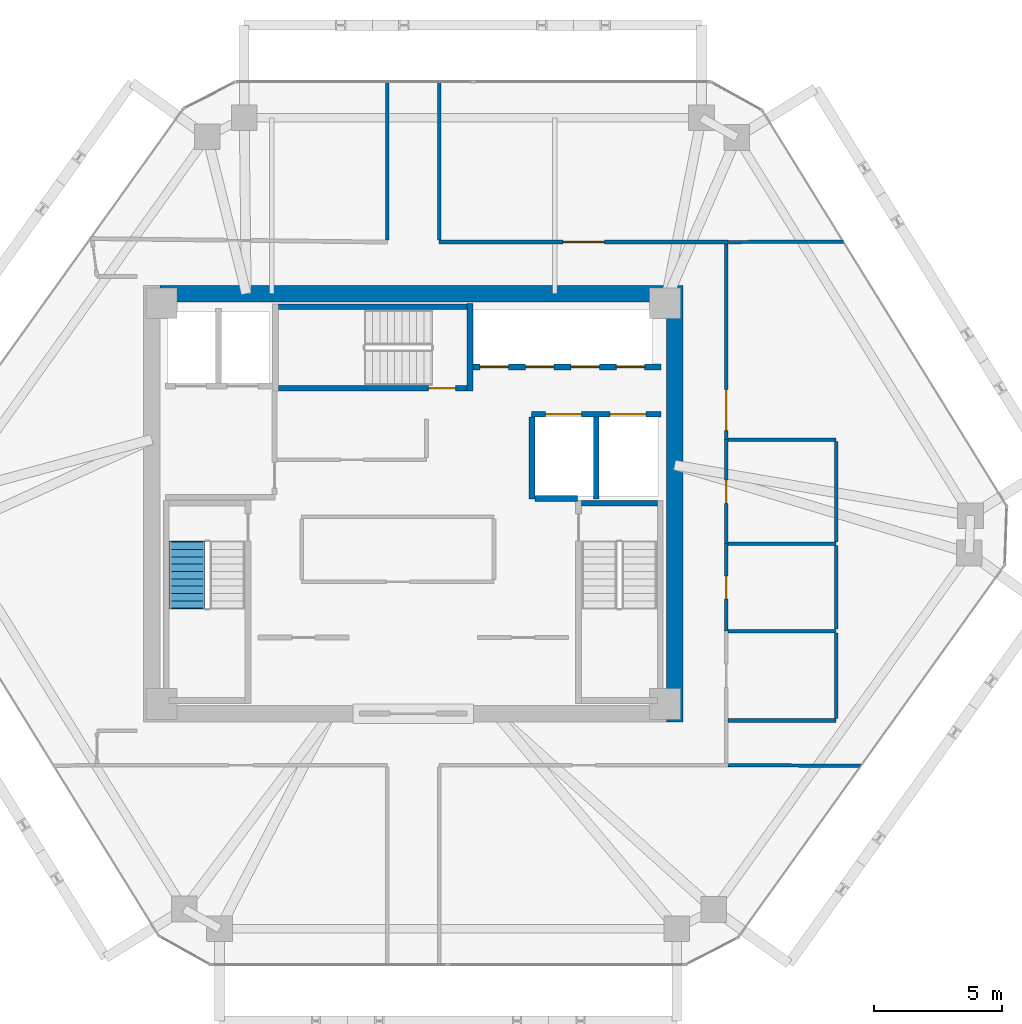
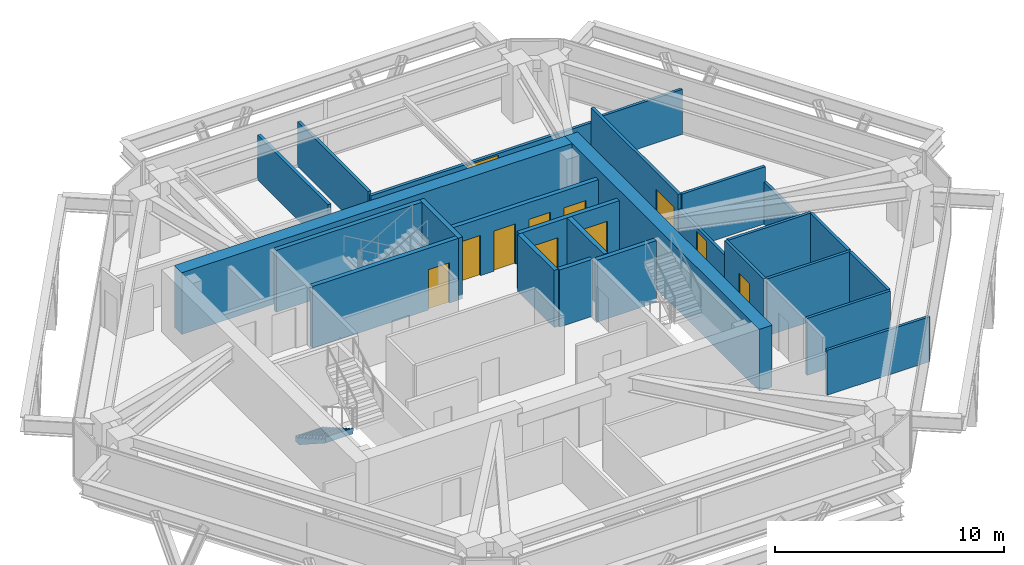
# One storey, part 9 of 11: 26 walls, 11 doors, 1 stair flight, 11 openings, 1 element without a shape of its own.
"""IFC4 building model written with IfcOpenShell, lengths in metres."""

from ifc_helpers import new_model, si_unit, direction, frame, frame_2d, origin, place, context, subcontext, project, spatial, polyline, rectangle, outline, extrude, source, transform, mapped, material, layer, layer_set, type_object, type_shapes, element, fill, aggregate, save


model = new_model("IFC4")

# Units and contexts
model_context = context("Model", 3, precision=1e-05, world=origin(), true_north=direction((0.0, 1.0)))
body_context = subcontext(model_context, "Body", "Model", "MODEL_VIEW")
ifc_project = project(units=[si_unit("LENGTHUNIT", "METRE"), si_unit("AREAUNIT", "SQUARE_METRE"), si_unit("VOLUMEUNIT", "CUBIC_METRE"), si_unit("PLANEANGLEUNIT", "RADIAN"), si_unit("MASSUNIT", "GRAM", prefix="KILO")], contexts=[model_context])

# Site, building, storey
site_placement = place(None, origin())
site = spatial("IfcSite", under=ifc_project, at=site_placement, CompositionType="ELEMENT")
building_placement = place(site_placement, origin())
building = spatial("IfcBuilding", under=site, at=building_placement, Name="Durnholm Broadcast Tower", CompositionType="ELEMENT")
storey_placement = place(building_placement, frame((0.0, 0.0, 170.5)))
storey = spatial("IfcBuildingStorey", under=building, at=storey_placement, Name="L46", CompositionType="ELEMENT", Elevation=170.5)

# Walls
ifc_material_1 = material(Name="Concrete C70/85", Category="concrete")
ifc_layer_1 = layer(ifc_material_1, 0.64990234375)
ifc_layer_set_1 = layer_set([ifc_layer_1], Name="Concrete C70/85")
wall_type_1 = type_object("IfcWallType", Name="WALL-CW-650", PredefinedType="SHEAR", material=ifc_layer_set_1)
wall_1_placement = place(storey_placement, frame((10.175048828125, -8.5, 0.0), z_axis=(0.0, 0.0, 1.0), x_axis=(0.0, 1.0, 0.0)))
element("IfcWall", 1, at=wall_1_placement, inside=storey, type_object=wall_type_1, Name="L46 central core shear wall CW-EAST", PredefinedType="SHEAR", context=body_context, shape_type="SweptSolid", body=[
    extrude(rectangle(XDim=17.0, YDim=0.64990234375, at=frame_2d((8.5, 0.0))), origin(), (0.0, 0.0, 1.0), 3.300048828125),
])
wall_2_placement = place(storey_placement, frame((-9.85009765625, 8.175048828125, 0.0), z_axis=(0.0, 0.0, 1.0), x_axis=(1.0, 0.0, 0.0)))
element("IfcWall", 2, at=wall_2_placement, inside=storey, type_object=wall_type_1, Name="L46 central core shear wall CW-N", PredefinedType="SHEAR", context=body_context, shape_type="SweptSolid", body=[
    extrude(rectangle(XDim=19.7001953125, YDim=0.64990234375, at=frame_2d((9.85009765625, 0.0))), origin(), (0.0, 0.0, 1.0), 3.300048828125),
])
ifc_material_2 = material(Name="Gypsum Metal Stud Partition", Category="concrete")
ifc_layer_2 = layer(ifc_material_2, 0.135009765625)
ifc_layer_set_2 = layer_set([ifc_layer_2], Name="Gypsum Metal Stud Partition")
wall_type_2 = type_object("IfcWallType", Name="WALL-PART-135", PredefinedType="PARTITIONING", material=ifc_layer_set_2)
wall_3_placement = place(storey_placement, frame((16.739990234375, 10.200927734375, 0.0), z_axis=(0.0, 0.0, 1.0), x_axis=(-0.999989522694, -0.004577608714, 0.0)))
element("IfcWall", 3, at=wall_3_placement, inside=storey, type_object=wall_type_2, Name="L46 room dividing partition 9.14", PredefinedType="PARTITIONING", context=body_context, shape_type="SweptSolid", body=[
    extrude(rectangle(XDim=4.47998046875, YDim=0.135009765625, at=frame_2d((2.239990234375, 0.0))), origin(), (0.0, 0.0, 1.0), 2.398681640625),
])
wall_4_placement = place(storey_placement, frame((12.260009765625, -10.180419921875, 0.0), z_axis=(0.0, 0.0, 1.0), x_axis=(0.999990144117, -0.004439782427, 0.0)))
element("IfcWall", 4, at=wall_4_placement, inside=storey, type_object=wall_type_2, Name="L46 room dividing partition 11.14", PredefinedType="PARTITIONING", context=body_context, shape_type="SweptSolid", body=[
    extrude(rectangle(XDim=5.1689453125, YDim=0.135009765625, at=frame_2d((2.58447265625, 0.0))), origin(), (0.0, 0.0, 1.0), 2.398681640625),
])
ifc_material_3 = material(Name="Acoustic Gypsum Stud Partition", Category="concrete")
ifc_layer_3 = layer(ifc_material_3, 0.14990234375)
ifc_layer_set_3 = layer_set([ifc_layer_3], Name="Acoustic Gypsum Stud Partition")
wall_type_3 = type_object("IfcWallType", Name="WALL-PART-150", PredefinedType="PARTITIONING", material=ifc_layer_set_3)
wall_5_placement = place(storey_placement, frame((-1.010009765625, 16.41796875, 0.0), z_axis=(0.0, 0.0, 1.0), x_axis=(0.0, -1.0, 0.0)))
element("IfcWall", 5, at=wall_5_placement, inside=storey, type_object=wall_type_3, Name="L46 Open Plan Broadcast Workspace 2 corridor partition", PredefinedType="PARTITIONING", context=body_context, shape_type="SweptSolid", body=[
    extrude(rectangle(XDim=6.158935546875, YDim=0.14990234375, at=frame_2d((3.07958984375, 0.0))), origin(), (0.0, 0.0, 1.0), 2.398681640625),
])

# Wall, opening, door
wall_6_placement = place(storey_placement, frame((12.260009765625, 10.179931640625, 0.0), z_axis=(0.0, 0.0, 1.0), x_axis=(-1.0, 0.0, 0.0)))
wall_6 = element("IfcWall", 6, at=wall_6_placement, inside=storey, type_object=wall_type_3, Name="L46 Immersive Audio Auditorium corridor partition", PredefinedType="PARTITIONING", context=body_context, shape_type="SweptSolid", body=[
    extrude(rectangle(XDim=11.25, YDim=0.14990234375, at=frame_2d((5.625, 0.0))), origin(), (0.0, 0.0, 1.0), 2.24169921875),
])
opening_1_placement = place(wall_6_placement, frame((4.824951171875, 0.0, 0.0)))
opening_1 = element("IfcOpeningElement", 7, at=opening_1_placement, cuts=wall_6, Name="Opening DST-160", PredefinedType="OPENING", context=body_context, shape_type="SweptSolid", body=[
    extrude(rectangle(XDim=1.60009765625, YDim=2.14990234375, at=frame_2d((0.800048828125, 1.074951171875))), frame((0.0, 0.0849609375, 0.0), z_axis=(0.0, -1.0, 0.0), x_axis=(1.0, 0.0, 0.0)), (0.0, 0.0, 1.0), 0.169921875),
])
ifc_material_4 = material(Name="Acoustic Broadcast Studio Sound-Lock Door", Category="steel")
ifc_layer_4 = layer(ifc_material_4, 0.050048828125)
ifc_layer_set_4 = layer_set([ifc_layer_4], Name="Acoustic Broadcast Studio Sound-Lock Door")
door_type_1 = type_object("IfcDoorType", Name="DOOR-STU-1600", OperationType="DOUBLE_DOOR_SINGLE_SWING", PredefinedType="DOOR", material=ifc_layer_set_4)
shared_shape_1 = source(origin(), body_context, "Body", "SweptSolid", [
    extrude(rectangle(XDim=1.60009765625, YDim=2.14990234375, at=frame_2d((0.800048828125, 1.074951171875))), frame((0.0, 0.02490234375, 0.0), z_axis=(0.0, -1.0, 0.0), x_axis=(1.0, 0.0, 0.0)), (0.0, 0.0, 1.0), 0.050048828125),
])
type_shapes(door_type_1, [shared_shape_1])
door_1_placement = place(opening_1_placement, origin())
door_1 = element("IfcDoor", 8, at=door_1_placement, inside=storey, type_object=door_type_1, Name="L46 Immersive Audio Auditorium entrance door", OperationType="DOUBLE_DOOR_SINGLE_SWING", OverallHeight=2.14990234375, OverallWidth=1.60009765625, PredefinedType="DOOR", context=body_context, shape_type="MappedRepresentation", body=[
    mapped(shared_shape_1, transform((0.0, 0.0, 0.0), x_axis=(1.0, 0.0, 0.0), y_axis=(0.0, 1.0, 0.0), z_axis=(0.0, 0.0, 1.0), scale=1.0)),
])
fill(opening_1, door_1)

# Wall
wall_7_placement = place(storey_placement, frame((1.010009765625, 10.259033203125, 0.0), z_axis=(0.0, 0.0, 1.0), x_axis=(0.0, 1.0, 0.0)))
element("IfcWall", 9, at=wall_7_placement, inside=storey, type_object=wall_type_3, Name="L46 Immersive Audio Auditorium corridor partition", PredefinedType="PARTITIONING", context=body_context, shape_type="SweptSolid", body=[
    extrude(rectangle(XDim=6.158935546875, YDim=0.14990234375, at=frame_2d((3.07958984375, 0.0))), origin(), (0.0, 0.0, 1.0), 2.398681640625),
])

# Wall, opening, door
wall_8_placement = place(storey_placement, frame((12.179931640625, 2.489990234375, 0.0), z_axis=(0.0, 0.0, 1.0), x_axis=(0.0, 1.0, 0.0)))
wall_8 = element("IfcWall", 10, at=wall_8_placement, inside=storey, type_object=wall_type_3, Name="L46 Immersive Audio Auditorium corridor partition", PredefinedType="PARTITIONING", context=body_context, shape_type="SweptSolid", body=[
    extrude(rectangle(XDim=7.611083984375, YDim=0.14990234375, at=frame_2d((3.8056640625, 0.0))), origin(), (0.0, 0.0, 1.0), 3.044921875),
])
opening_2_placement = place(wall_8_placement, frame((0.35009765625, 0.0, 0.0)))
opening_2 = element("IfcOpeningElement", 11, at=opening_2_placement, cuts=wall_8, Name="Opening DST-160", PredefinedType="OPENING", context=body_context, shape_type="SweptSolid", body=[
    extrude(rectangle(XDim=1.60009765625, YDim=2.14990234375, at=frame_2d((0.800048828125, 1.074951171875))), frame((0.0, 0.0849609375, 0.0), z_axis=(0.0, -1.0, 0.0), x_axis=(1.0, 0.0, 0.0)), (0.0, 0.0, 1.0), 0.169921875),
])
door_2_placement = place(opening_2_placement, origin())
door_2 = element("IfcDoor", 12, at=door_2_placement, inside=storey, type_object=door_type_1, Name="L46 Immersive Audio Auditorium entrance door", OperationType="DOUBLE_DOOR_SINGLE_SWING", OverallHeight=2.14990234375, OverallWidth=1.60009765625, PredefinedType="DOOR", context=body_context, shape_type="MappedRepresentation", body=[
    mapped(shared_shape_1, transform((0.0, 0.0, 0.0), x_axis=(1.0, 0.0, 0.0), y_axis=(0.0, 1.0, 0.0), z_axis=(0.0, 0.0, 1.0), scale=1.0)),
])
fill(opening_2, door_2)

# Wall, openings, doors
ifc_material_5 = material(Name="Concrete Blockwork C30/37", Category="masonry")
ifc_layer_5 = layer(ifc_material_5, 0.219970703125)
ifc_layer_set_5 = layer_set([ifc_layer_5], Name="Concrete Blockwork C30/37")
wall_type_4 = type_object("IfcWallType", Name="WALL-SHAFT-220", PredefinedType="SOLIDWALL", material=ifc_layer_set_5)
wall_9_placement = place(storey_placement, frame((4.60009765625, 3.47998046875, 0.0), z_axis=(0.0, 0.0, 1.0), x_axis=(1.0, 0.0, 0.0)))
wall_9 = element("IfcWall", 13, at=wall_9_placement, inside=storey, type_object=wall_type_4, Name="L46 freight service lifts north front wall", PredefinedType="SOLIDWALL", context=body_context, shape_type="SweptSolid", body=[
    extrude(rectangle(XDim=5.0498046875, YDim=0.219970703125, at=frame_2d((2.52490234375, 0.0))), origin(), (0.0, 0.0, 1.0), 3.044921875),
])
opening_3_placement = place(wall_9_placement, frame((0.550048828125, 0.0, 0.0)))
opening_3 = element("IfcOpeningElement", 14, at=opening_3_placement, cuts=wall_9, Name="Opening LD-SVL-2", PredefinedType="OPENING", context=body_context, shape_type="SweptSolid", body=[
    extrude(rectangle(XDim=1.39990234375, YDim=2.14990234375, at=frame_2d((0.699951171875, 1.074951171875))), frame((0.0, 0.1201171875, 0.0), z_axis=(0.0, -1.0, 0.0), x_axis=(1.0, 0.0, 0.0)), (0.0, 0.0, 1.0), 0.239990234375),
])
opening_4_placement = place(wall_9_placement, frame((3.050048828125, 0.0, 0.0)))
opening_4 = element("IfcOpeningElement", 15, at=opening_4_placement, cuts=wall_9, Name="Opening LD-SVL-1", PredefinedType="OPENING", context=body_context, shape_type="SweptSolid", body=[
    extrude(rectangle(XDim=1.39990234375, YDim=2.14990234375, at=frame_2d((0.699951171875, 1.074951171875))), frame((0.0, 0.1201171875, 0.0), z_axis=(0.0, -1.0, 0.0), x_axis=(1.0, 0.0, 0.0)), (0.0, 0.0, 1.0), 0.239990234375),
])
ifc_material_6 = material(Name="Freight Elevator Bi-Parting Sliding Landing Door", Category="steel")
ifc_layer_6 = layer(ifc_material_6, 0.050048828125)
ifc_layer_set_6 = layer_set([ifc_layer_6], Name="Freight Elevator Bi-Parting Sliding Landing Door")
door_type_2 = type_object("IfcDoorType", Name="DOOR-LIFT-SVL", OperationType="DOUBLE_DOOR_SLIDING", PredefinedType="DOOR", material=ifc_layer_set_6)
shared_shape_2 = source(origin(), body_context, "Body", "SweptSolid", [
    extrude(rectangle(XDim=1.39990234375, YDim=2.14990234375, at=frame_2d((0.699951171875, 1.074951171875))), frame((0.0, 0.02490234375, 0.0), z_axis=(0.0, -1.0, 0.0), x_axis=(1.0, 0.0, 0.0)), (0.0, 0.0, 1.0), 0.050048828125),
])
type_shapes(door_type_2, [shared_shape_2])
door_3_placement = place(opening_3_placement, origin())
door_3 = element("IfcDoor", 16, at=door_3_placement, inside=storey, type_object=door_type_2, Name="L46 freight service elevator SVL-2 sliding landing door", OperationType="DOUBLE_DOOR_SLIDING", OverallHeight=2.14990234375, OverallWidth=1.39990234375, PredefinedType="DOOR", context=body_context, shape_type="MappedRepresentation", body=[
    mapped(shared_shape_2, transform((0.0, 0.0, 0.0), x_axis=(1.0, 0.0, 0.0), y_axis=(0.0, 1.0, 0.0), z_axis=(0.0, 0.0, 1.0), scale=1.0)),
])
fill(opening_3, door_3)
door_4_placement = place(opening_4_placement, origin())
door_4 = element("IfcDoor", 17, at=door_4_placement, inside=storey, type_object=door_type_2, Name="L46 freight service elevator SVL-1 sliding landing door", OperationType="DOUBLE_DOOR_SLIDING", OverallHeight=2.14990234375, OverallWidth=1.39990234375, PredefinedType="DOOR", context=body_context, shape_type="MappedRepresentation", body=[
    mapped(shared_shape_2, transform((0.0, 0.0, 0.0), x_axis=(1.0, 0.0, 0.0), y_axis=(0.0, 1.0, 0.0), z_axis=(0.0, 0.0, 1.0), scale=1.0)),
])
fill(opening_4, door_4)

# Walls
for number, where, z_axis, x_axis, name in (
    (18, (4.6201171875, 0.179931640625, 0.0), (0.0, 0.0, 1.0), (0.0, 1.0, 0.0), "L46 freight service lift SVL-2 west wall"),
    (19, (7.1201171875, 0.179931640625, 0.0), (0.0, 0.0, 1.0), (0.0, 1.0, 0.0), "L46 freight service lifts divider wall"),
):
    element("IfcWall", number, at=place(storey_placement, frame(where, z_axis=z_axis, x_axis=x_axis)), inside=storey, type_object=wall_type_4, Name=name, PredefinedType="SOLIDWALL", context=body_context, shape_type="SweptSolid", body=[
        extrude(rectangle(XDim=3.18603515625, YDim=0.219970703125, at=frame_2d((1.593017578125, 0.0))), origin(), (0.0, 0.0, 1.0), 3.044921875),
    ])
wall_10_placement = place(storey_placement, frame((4.73388671875, 0.199951171875, 0.0), z_axis=(0.0, 0.0, 1.0), x_axis=(1.0, 0.0, 0.0)))
element("IfcWall", 20, at=wall_10_placement, inside=storey, type_object=wall_type_4, Name="L46 freight service lift SVL-2 south wall", PredefinedType="SOLIDWALL", context=body_context, shape_type="SweptSolid", body=[
    extrude(rectangle(XDim=1.666015625, YDim=0.219970703125, at=frame_2d((0.8330078125, 0.0))), origin(), (0.0, 0.0, 1.0), 3.044921875),
])

# Wall, openings, doors
wall_11_placement = place(storey_placement, frame((2.324951171875, 5.320068359375, 0.0), z_axis=(0.0, 0.0, 1.0), x_axis=(1.0, 0.0, 0.0)))
wall_11 = element("IfcWall", 21, at=wall_11_placement, inside=storey, type_object=wall_type_4, Name="L46 high-rise bank P3 south front wall", PredefinedType="SOLIDWALL", context=body_context, shape_type="SweptSolid", body=[
    extrude(rectangle(XDim=7.324951171875, YDim=0.219970703125, at=frame_2d((3.66259765625, 0.0))), origin(), (0.0, 0.0, 1.0), 3.044921875),
])
opening_5_placement = place(wall_11_placement, frame((0.27490234375, 0.0, 0.0)))
opening_5 = element("IfcOpeningElement", 22, at=opening_5_placement, cuts=wall_11, Name="Opening LD-LP3-1", PredefinedType="OPENING", context=body_context, shape_type="SweptSolid", body=[
    extrude(rectangle(XDim=1.10009765625, YDim=2.14990234375, at=frame_2d((0.550048828125, 1.074951171875))), frame((0.0, 0.1201171875, 0.0), z_axis=(0.0, -1.0, 0.0), x_axis=(1.0, 0.0, 0.0)), (0.0, 0.0, 1.0), 0.239990234375),
])
opening_6_placement = place(wall_11_placement, frame((2.044921875, 0.0, 0.0)))
opening_6 = element("IfcOpeningElement", 23, at=opening_6_placement, cuts=wall_11, Name="Opening LD-LP3-2", PredefinedType="OPENING", context=body_context, shape_type="SweptSolid", body=[
    extrude(rectangle(XDim=1.10009765625, YDim=2.14990234375, at=frame_2d((0.550048828125, 1.074951171875))), frame((0.0, 0.1201171875, 0.0), z_axis=(0.0, -1.0, 0.0), x_axis=(1.0, 0.0, 0.0)), (0.0, 0.0, 1.0), 0.239990234375),
])
opening_7_placement = place(wall_11_placement, frame((3.81494140625, 0.0, 0.0)))
opening_7 = element("IfcOpeningElement", 24, at=opening_7_placement, cuts=wall_11, Name="Opening LD-LP3-3", PredefinedType="OPENING", context=body_context, shape_type="SweptSolid", body=[
    extrude(rectangle(XDim=1.10009765625, YDim=2.14990234375, at=frame_2d((0.550048828125, 1.074951171875))), frame((0.0, 0.1201171875, 0.0), z_axis=(0.0, -1.0, 0.0), x_axis=(1.0, 0.0, 0.0)), (0.0, 0.0, 1.0), 0.239990234375),
])
opening_8_placement = place(wall_11_placement, frame((5.5849609375, 0.0, 0.0)))
opening_8 = element("IfcOpeningElement", 25, at=opening_8_placement, cuts=wall_11, Name="Opening LD-LP3-4", PredefinedType="OPENING", context=body_context, shape_type="SweptSolid", body=[
    extrude(rectangle(XDim=1.10009765625, YDim=2.14990234375, at=frame_2d((0.550048828125, 1.074951171875))), frame((0.0, 0.1201171875, 0.0), z_axis=(0.0, -1.0, 0.0), x_axis=(1.0, 0.0, 0.0)), (0.0, 0.0, 1.0), 0.239990234375),
])
ifc_material_7 = material(Name="Stainless Steel Sliding Elevator Landing Door", Category="steel")
ifc_layer_7 = layer(ifc_material_7, 0.050048828125)
ifc_layer_set_7 = layer_set([ifc_layer_7], Name="Stainless Steel Sliding Elevator Landing Door")
door_type_3 = type_object("IfcDoorType", Name="DOOR-LIFT-PAX", OperationType="DOUBLE_DOOR_SLIDING", PredefinedType="DOOR", material=ifc_layer_set_7)
shared_shape_3 = source(origin(), body_context, "Body", "SweptSolid", [
    extrude(rectangle(XDim=1.10009765625, YDim=2.14990234375, at=frame_2d((0.550048828125, 1.074951171875))), frame((0.0, 0.02490234375, 0.0), z_axis=(0.0, -1.0, 0.0), x_axis=(1.0, 0.0, 0.0)), (0.0, 0.0, 1.0), 0.050048828125),
])
type_shapes(door_type_3, [shared_shape_3])
door_5_placement = place(opening_5_placement, origin())
door_5 = element("IfcDoor", 26, at=door_5_placement, inside=storey, type_object=door_type_3, Name="L46 high-rise elevator LP3-1 sliding landing door", OperationType="DOUBLE_DOOR_SLIDING", OverallHeight=2.14990234375, OverallWidth=1.10009765625, PredefinedType="DOOR", context=body_context, shape_type="MappedRepresentation", body=[
    mapped(shared_shape_3, transform((0.0, 0.0, 0.0), x_axis=(1.0, 0.0, 0.0), y_axis=(0.0, 1.0, 0.0), z_axis=(0.0, 0.0, 1.0), scale=1.0)),
])
fill(opening_5, door_5)
door_6_placement = place(opening_6_placement, origin())
door_6 = element("IfcDoor", 27, at=door_6_placement, inside=storey, type_object=door_type_3, Name="L46 high-rise elevator LP3-2 sliding landing door", OperationType="DOUBLE_DOOR_SLIDING", OverallHeight=2.14990234375, OverallWidth=1.10009765625, PredefinedType="DOOR", context=body_context, shape_type="MappedRepresentation", body=[
    mapped(shared_shape_3, transform((0.0, 0.0, 0.0), x_axis=(1.0, 0.0, 0.0), y_axis=(0.0, 1.0, 0.0), z_axis=(0.0, 0.0, 1.0), scale=1.0)),
])
fill(opening_6, door_6)
door_7_placement = place(opening_7_placement, origin())
door_7 = element("IfcDoor", 28, at=door_7_placement, inside=storey, type_object=door_type_3, Name="L46 high-rise elevator LP3-3 sliding landing door", OperationType="DOUBLE_DOOR_SLIDING", OverallHeight=2.14990234375, OverallWidth=1.10009765625, PredefinedType="DOOR", context=body_context, shape_type="MappedRepresentation", body=[
    mapped(shared_shape_3, transform((0.0, 0.0, 0.0), x_axis=(1.0, 0.0, 0.0), y_axis=(0.0, 1.0, 0.0), z_axis=(0.0, 0.0, 1.0), scale=1.0)),
])
fill(opening_7, door_7)
door_8_placement = place(opening_8_placement, origin())
door_8 = element("IfcDoor", 29, at=door_8_placement, inside=storey, type_object=door_type_3, Name="L46 high-rise elevator LP3-4 sliding landing door", OperationType="DOUBLE_DOOR_SLIDING", OverallHeight=2.14990234375, OverallWidth=1.10009765625, PredefinedType="DOOR", context=body_context, shape_type="MappedRepresentation", body=[
    mapped(shared_shape_3, transform((0.0, 0.0, 0.0), x_axis=(1.0, 0.0, 0.0), y_axis=(0.0, 1.0, 0.0), z_axis=(0.0, 0.0, 1.0), scale=1.0)),
])
fill(opening_8, door_8)

# Walls
ifc_material_8 = material(Name="Concrete C50/60", Category="concrete")
ifc_layer_8 = layer(ifc_material_8, 0.219970703125)
ifc_layer_set_8 = layer_set([ifc_layer_8], Name="Concrete C50/60")
wall_type_5 = type_object("IfcWallType", Name="WALL-SW-220", PredefinedType="SHEAR", material=ifc_layer_set_8)
wall_12_placement = place(storey_placement, frame((9.5, 0.010009765625, -0.239990234375), z_axis=(0.0, 0.0, 1.0), x_axis=(-1.0, 0.0, 0.0)))
element("IfcWall", 30, at=wall_12_placement, inside=storey, type_object=wall_type_5, Name="L46 stair ST-2 structural shaft wall N", PredefinedType="SHEAR", context=body_context, shape_type="SweptSolid", body=[
    extrude(rectangle(XDim=2.9599609375, YDim=0.219970703125, at=frame_2d((1.47998046875, 0.0))), origin(), (0.0, 0.0, 1.0), 3.300048828125),
])
wall_13_placement = place(storey_placement, frame((2.2099609375, 4.3798828125, -0.239990234375), z_axis=(0.0, 0.0, 1.0), x_axis=(0.0, 1.0, 0.0)))
element("IfcWall", 31, at=wall_13_placement, inside=storey, type_object=wall_type_5, Name="L46 stair ST-3 structural shaft wall E", PredefinedType="SHEAR", context=body_context, shape_type="SweptSolid", body=[
    extrude(rectangle(XDim=3.400146484375, YDim=0.219970703125, at=frame_2d((1.7001953125, 0.0))), origin(), (0.0, 0.0, 1.0), 3.300048828125),
])

# Wall, opening, door
wall_14_placement = place(storey_placement, frame((-5.25, 4.489990234375, -0.239990234375), z_axis=(0.0, 0.0, 1.0), x_axis=(1.0, 0.0, 0.0)))
wall_14 = element("IfcWall", 32, at=wall_14_placement, inside=storey, type_object=wall_type_5, Name="L46 stair ST-3 structural shaft wall S", PredefinedType="SHEAR", context=body_context, shape_type="SweptSolid", body=[
    extrude(rectangle(XDim=7.35009765625, YDim=0.219970703125, at=frame_2d((3.675048828125, 0.0))), origin(), (0.0, 0.0, 1.0), 3.300048828125),
])
opening_9_placement = place(wall_14_placement, frame((5.85009765625, 0.0, 0.0)))
opening_9 = element("IfcOpeningElement", 33, at=opening_9_placement, cuts=wall_14, Name="Opening DS-90L", PredefinedType="OPENING", context=body_context, shape_type="SweptSolid", body=[
    extrude(rectangle(XDim=1.050048828125, YDim=2.14990234375, at=frame_2d((0.52490234375, 1.074951171875))), frame((0.0, 0.1201171875, 0.0), z_axis=(0.0, -1.0, 0.0), x_axis=(1.0, 0.0, 0.0)), (0.0, 0.0, 1.0), 0.239990234375),
])
ifc_material_9 = material(Name="Fire-Rated Steel Door", Category="steel")
ifc_layer_9 = layer(ifc_material_9, 0.050048828125)
ifc_layer_set_9 = layer_set([ifc_layer_9], Name="Fire-Rated Steel Door")
door_type_4 = type_object("IfcDoorType", Name="DOOR-ST-FD90-L", OperationType="NOTDEFINED", PredefinedType="DOOR", material=ifc_layer_set_9)
shared_shape_4 = source(origin(), body_context, "Body", "SweptSolid", [
    extrude(rectangle(XDim=1.050048828125, YDim=2.14990234375, at=frame_2d((0.52490234375, 1.074951171875))), frame((0.0, 0.02490234375, 0.0), z_axis=(0.0, -1.0, 0.0), x_axis=(1.0, 0.0, 0.0)), (0.0, 0.0, 1.0), 0.050048828125),
])
type_shapes(door_type_4, [shared_shape_4])
door_9_placement = place(opening_9_placement, origin())
door_9 = element("IfcDoor", 34, at=door_9_placement, inside=storey, type_object=door_type_4, Name="L46 exit stair ST-3 fire door", OperationType="SINGLE_SWING_LEFT", OverallHeight=2.14990234375, OverallWidth=1.050048828125, PredefinedType="DOOR", context=body_context, shape_type="MappedRepresentation", body=[
    mapped(shared_shape_4, transform((0.0, 0.0, 0.0), x_axis=(1.0, 0.0, 0.0), y_axis=(0.0, 1.0, 0.0), z_axis=(0.0, 0.0, 1.0), scale=1.0)),
])
fill(opening_9, door_9)

# Wall
wall_15_placement = place(storey_placement, frame((2.10009765625, 7.669921875, -0.239990234375), z_axis=(0.0, 0.0, 1.0), x_axis=(-1.0, 0.0, 0.0)))
element("IfcWall", 35, at=wall_15_placement, inside=storey, type_object=wall_type_5, Name="L46 stair ST-3 structural shaft wall N", PredefinedType="SHEAR", context=body_context, shape_type="SweptSolid", body=[
    extrude(rectangle(XDim=7.35009765625, YDim=0.219970703125, at=frame_2d((3.675048828125, 0.0))), origin(), (0.0, 0.0, 1.0), 3.300048828125),
])

# Wall, opening, door
ifc_material_10 = material(Name="Moisture-Resistant Tile Partition", Category="concrete")
ifc_layer_10 = layer(ifc_material_10, 0.139892578125)
ifc_layer_set_10 = layer_set([ifc_layer_10], Name="Moisture-Resistant Tile Partition")
wall_type_6 = type_object("IfcWallType", Name="WALL-WC-140", PredefinedType="PARTITIONING", material=ifc_layer_set_10)
wall_16_placement = place(storey_placement, frame((12.179931640625, -4.9599609375, 0.0), z_axis=(0.0, 0.0, 1.0), x_axis=(0.0, 1.0, 0.0)))
wall_16 = element("IfcWall", 36, at=wall_16_placement, inside=storey, type_object=wall_type_6, Name="L46 Women's Restroom corridor partition", PredefinedType="PARTITIONING", context=body_context, shape_type="SweptSolid", body=[
    extrude(rectangle(XDim=3.39990234375, YDim=0.139892578125, at=frame_2d((1.699951171875, 0.0))), origin(), (0.0, 0.0, 1.0), 3.044921875),
])
opening_10_placement = place(wall_16_placement, frame((1.25, 0.0, 0.0)))
opening_10 = element("IfcOpeningElement", 37, at=opening_10_placement, cuts=wall_16, Name="Opening DW-90L", PredefinedType="OPENING", context=body_context, shape_type="SweptSolid", body=[
    extrude(rectangle(XDim=0.89990234375, YDim=2.050048828125, at=frame_2d((0.449951171875, 1.02490234375))), frame((0.0, 0.080078125, 0.0), z_axis=(0.0, -1.0, 0.0), x_axis=(1.0, 0.0, 0.0)), (0.0, 0.0, 1.0), 0.159912109375),
])
ifc_material_11 = material(Name="Laminate Restroom Door", Category="steel")
ifc_layer_11 = layer(ifc_material_11, 0.050048828125)
ifc_layer_set_11 = layer_set([ifc_layer_11], Name="Laminate Restroom Door")
door_type_5 = type_object("IfcDoorType", Name="DOOR-WC-900L", OperationType="NOTDEFINED", PredefinedType="DOOR", material=ifc_layer_set_11)
shared_shape_5 = source(origin(), body_context, "Body", "SweptSolid", [
    extrude(rectangle(XDim=0.89990234375, YDim=2.050048828125, at=frame_2d((0.449951171875, 1.02490234375))), frame((0.0, 0.02490234375, 0.0), z_axis=(0.0, -1.0, 0.0), x_axis=(1.0, 0.0, 0.0)), (0.0, 0.0, 1.0), 0.050048828125),
])
type_shapes(door_type_5, [shared_shape_5])
door_10_placement = place(opening_10_placement, origin())
door_10 = element("IfcDoor", 38, at=door_10_placement, inside=storey, type_object=door_type_5, Name="L46 Women's Restroom entrance door", OperationType="SINGLE_SWING_LEFT", OverallHeight=2.050048828125, OverallWidth=0.89990234375, PredefinedType="DOOR", context=body_context, shape_type="MappedRepresentation", body=[
    mapped(shared_shape_5, transform((0.0, 0.0, 0.0), x_axis=(1.0, 0.0, 0.0), y_axis=(0.0, 1.0, 0.0), z_axis=(0.0, 0.0, 1.0), scale=1.0)),
])
fill(opening_10, door_10)

wall_17_placement = place(storey_placement, frame((12.179931640625, -1.56005859375, 0.0), z_axis=(0.0, 0.0, 1.0), x_axis=(0.0, 1.0, 0.0)))
wall_17 = element("IfcWall", 39, at=wall_17_placement, inside=storey, type_object=wall_type_6, Name="L46 Accessible Restroom corridor partition", PredefinedType="PARTITIONING", context=body_context, shape_type="SweptSolid", body=[
    extrude(rectangle(XDim=4.050048828125, YDim=0.139892578125, at=frame_2d((2.02490234375, 0.0))), origin(), (0.0, 0.0, 1.0), 2.24169921875),
])
opening_11_placement = place(wall_17_placement, frame((1.574951171875, 0.0, 0.0)))
opening_11 = element("IfcOpeningElement", 40, at=opening_11_placement, cuts=wall_17, Name="Opening DW-90R", PredefinedType="OPENING", context=body_context, shape_type="SweptSolid", body=[
    extrude(rectangle(XDim=0.89990234375, YDim=2.050048828125, at=frame_2d((0.449951171875, 1.02490234375))), frame((0.0, 0.080078125, 0.0), z_axis=(0.0, -1.0, 0.0), x_axis=(1.0, 0.0, 0.0)), (0.0, 0.0, 1.0), 0.159912109375),
])
ifc_layer_12 = layer(ifc_material_11, 0.050048828125)
ifc_layer_set_12 = layer_set([ifc_layer_12], Name="Laminate Restroom Door")
door_type_6 = type_object("IfcDoorType", Name="DOOR-WC-900R", OperationType="NOTDEFINED", PredefinedType="DOOR", material=ifc_layer_set_12)
shared_shape_6 = source(origin(), body_context, "Body", "SweptSolid", [
    extrude(rectangle(XDim=0.89990234375, YDim=2.050048828125, at=frame_2d((0.449951171875, 1.02490234375))), frame((0.0, 0.02490234375, 0.0), z_axis=(0.0, -1.0, 0.0), x_axis=(1.0, 0.0, 0.0)), (0.0, 0.0, 1.0), 0.050048828125),
])
type_shapes(door_type_6, [shared_shape_6])
door_11_placement = place(opening_11_placement, origin())
door_11 = element("IfcDoor", 41, at=door_11_placement, inside=storey, type_object=door_type_6, Name="L46 Accessible Restroom entrance door", OperationType="SINGLE_SWING_RIGHT", OverallHeight=2.050048828125, OverallWidth=0.89990234375, PredefinedType="DOOR", context=body_context, shape_type="MappedRepresentation", body=[
    mapped(shared_shape_6, transform((0.0, 0.0, 0.0), x_axis=(1.0, 0.0, 0.0), y_axis=(0.0, 1.0, 0.0), z_axis=(0.0, 0.0, 1.0), scale=1.0)),
])
fill(opening_11, door_11)

# Walls
wall_18_placement = place(storey_placement, frame((12.25390625, -4.9599609375, 0.0), z_axis=(0.0, 0.0, 1.0), x_axis=(1.0, 0.0, 0.0)))
element("IfcWall", 42, at=wall_18_placement, inside=storey, type_object=wall_type_6, Name="L46 room dividing partition 5.6", PredefinedType="PARTITIONING", context=body_context, shape_type="SweptSolid", body=[
    extrude(rectangle(XDim=4.2060546875, YDim=0.139892578125, at=frame_2d((2.10302734375, 0.0))), origin(), (0.0, 0.0, 1.0), 3.044921875),
])
wall_19_placement = place(storey_placement, frame((16.4599609375, -8.43994140625, 0.0), z_axis=(0.0, 0.0, 1.0), x_axis=(-1.0, 0.0, 0.0)))
element("IfcWall", 43, at=wall_19_placement, inside=storey, type_object=wall_type_6, Name="L46 room dividing partition 5.14", PredefinedType="PARTITIONING", context=body_context, shape_type="SweptSolid", body=[
    extrude(rectangle(XDim=4.200927734375, YDim=0.139892578125, at=frame_2d((2.1005859375, 0.0))), origin(), (0.0, 0.0, 1.0), 3.044921875),
])
wall_20_placement = place(storey_placement, frame((16.4599609375, -5.033935546875, 0.0), z_axis=(0.0, 0.0, 1.0), x_axis=(0.0, -1.0, 0.0)))
element("IfcWall", 44, at=wall_20_placement, inside=storey, type_object=wall_type_6, Name="L46 room dividing partition 5.14", PredefinedType="PARTITIONING", context=body_context, shape_type="SweptSolid", body=[
    extrude(rectangle(XDim=3.33203125, YDim=0.139892578125, at=frame_2d((1.666015625, 0.0))), origin(), (0.0, 0.0, 1.0), 3.044921875),
])
wall_21_placement = place(storey_placement, frame((12.25390625, -1.56005859375, 0.0), z_axis=(0.0, 0.0, 1.0), x_axis=(1.0, 0.0, 0.0)))
element("IfcWall", 45, at=wall_21_placement, inside=storey, type_object=wall_type_6, Name="L46 room dividing partition 6.7", PredefinedType="PARTITIONING", context=body_context, shape_type="SweptSolid", body=[
    extrude(rectangle(XDim=4.2060546875, YDim=0.139892578125, at=frame_2d((2.10302734375, 0.0))), origin(), (0.0, 0.0, 1.0), 3.044921875),
])
wall_22_placement = place(storey_placement, frame((16.4599609375, -1.634033203125, 0.0), z_axis=(0.0, 0.0, 1.0), x_axis=(0.0, -1.0, 0.0)))
element("IfcWall", 46, at=wall_22_placement, inside=storey, type_object=wall_type_6, Name="L46 room dividing partition 6.14", PredefinedType="PARTITIONING", context=body_context, shape_type="SweptSolid", body=[
    extrude(rectangle(XDim=3.251953125, YDim=0.139892578125, at=frame_2d((1.6259765625, 0.0))), origin(), (0.0, 0.0, 1.0), 3.044921875),
])
wall_23_placement = place(storey_placement, frame((12.259033203125, 2.489990234375, 0.0), z_axis=(0.0, 0.0, 1.0), x_axis=(1.0, 0.0, 0.0)))
element("IfcWall", 47, at=wall_23_placement, inside=storey, type_object=wall_type_6, Name="L46 room dividing partition 7.14", PredefinedType="PARTITIONING", context=body_context, shape_type="SweptSolid", body=[
    extrude(rectangle(XDim=4.200927734375, YDim=0.139892578125, at=frame_2d((2.1005859375, 0.0))), origin(), (0.0, 0.0, 1.0), 3.044921875),
])
wall_24_placement = place(storey_placement, frame((16.4599609375, 2.416015625, 0.0), z_axis=(0.0, 0.0, 1.0), x_axis=(0.0, -1.0, 0.0)))
element("IfcWall", 48, at=wall_24_placement, inside=storey, type_object=wall_type_6, Name="L46 room dividing partition 7.14", PredefinedType="PARTITIONING", context=body_context, shape_type="SweptSolid", body=[
    extrude(rectangle(XDim=3.902099609375, YDim=0.139892578125, at=frame_2d((1.951171875, 0.0))), origin(), (0.0, 0.0, 1.0), 2.24169921875),
])

# Stair, stair flight
stair_type = type_object("IfcStairType", Name="STAIR-DL-20R1650", PredefinedType="HALF_TURN_STAIR", material=ifc_material_8)
stair_placement = place(storey_placement, origin())
stair = element("IfcStair", 49, at=stair_placement, inside=storey, type_object=stair_type, Name="L46 ST-1", PredefinedType="HALF_TURN_STAIR")
stair_flight_type = type_object("IfcStairFlightType", Name="FLIGHT-DL-20R1650", PredefinedType="STRAIGHT", material=ifc_material_8)
stair_flight_placement = place(storey_placement, frame((-8.800048828125, -1.5, 0.0), z_axis=(0.0, 0.0, 1.0), x_axis=(0.0, -1.0, 0.0)))
stair_flight = element("IfcStairFlight", 50, at=stair_flight_placement, type_object=stair_flight_type, Name="ST-1 flight 1", NumberOfRisers=10, NumberOfTreads=9, PredefinedType="STRAIGHT", RiserHeight=0.165, TreadLength=0.285, context=body_context, shape_type="SweptSolid", body=[
    extrude(outline(polyline([(-0.0400390625, -0.14990234375), (-0.0400390625, 0.0), (0.0, 0.0), (0.0, 0.1650390625), (0.284912109375, 0.1650390625), (0.284912109375, 0.330078125), (0.570068359375, 0.330078125), (0.570068359375, 0.4951171875), (0.85498046875, 0.4951171875), (0.85498046875, 0.659912109375), (1.139892578125, 0.659912109375), (1.139892578125, 0.824951171875), (1.425048828125, 0.824951171875), (1.425048828125, 0.989990234375), (1.7099609375, 0.989990234375), (1.7099609375, 1.155029296875), (1.9951171875, 1.155029296875), (1.9951171875, 1.320068359375), (2.280029296875, 1.320068359375), (2.280029296875, 1.485107421875), (2.56494140625, 1.485107421875), (2.56494140625, 1.64990234375), (2.60498046875, 1.64990234375), (2.60498046875, 1.5), (2.56494140625, 1.311767578125), (0.299072265625, -0.14990234375), (-0.0400390625, -0.14990234375)])), frame((0.0, 0.699951171875, 0.0), z_axis=(0.0, -1.0, 0.0), x_axis=(1.0, 0.0, 0.0)), (0.0, 0.0, 1.0), 1.39990234375),
])
aggregate(stair, [stair_flight])

save(model, "model.ifc")
